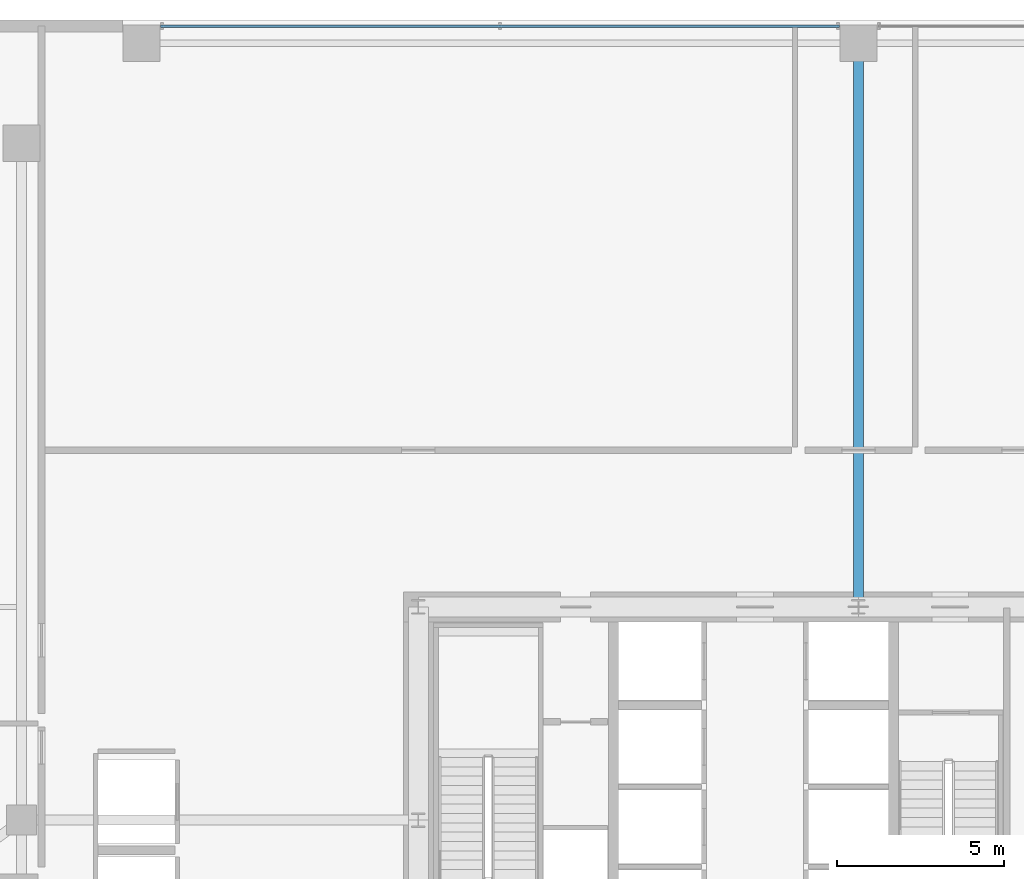
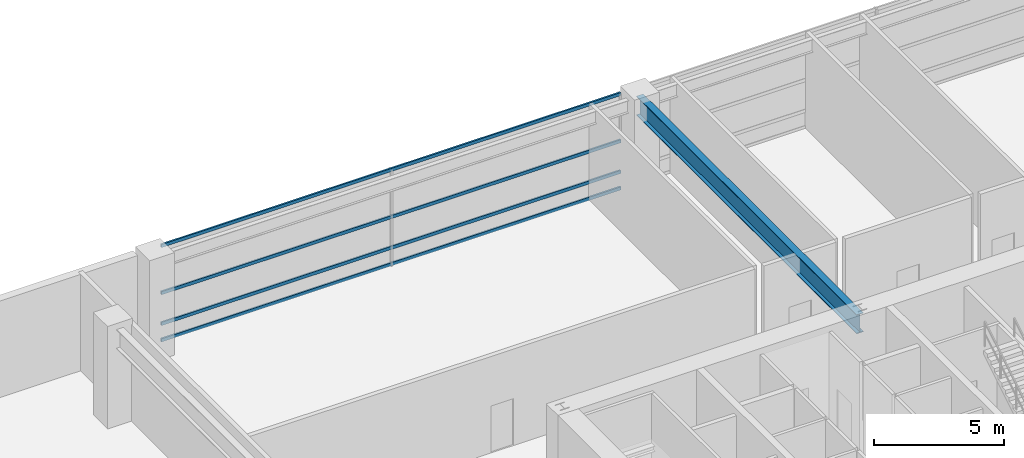
# One storey, part 22 of 38: 4 members, 1 beam, 1 element without a shape of its own.
"""IFC4 building model written with IfcOpenShell, lengths in metres."""

from ifc_helpers import new_model, si_unit, direction, frame, origin, origin_2d, place, context, subcontext, project, spatial, hollow_rectangle, i_section, extrude, source, transform, mapped, material, layer, layer_set, material_profile, profile_set, type_object, element, aggregate, save


model = new_model("IFC4")

# Units and contexts
model_context = context("Model", 3, precision=1e-05, world=origin(), true_north=direction((0.0, 1.0)))
body_context = subcontext(model_context, "Body", "Model", "MODEL_VIEW")
ifc_project = project(units=[si_unit("LENGTHUNIT", "METRE"), si_unit("AREAUNIT", "SQUARE_METRE"), si_unit("VOLUMEUNIT", "CUBIC_METRE"), si_unit("PLANEANGLEUNIT", "RADIAN"), si_unit("MASSUNIT", "GRAM", prefix="KILO"), si_unit("THERMODYNAMICTEMPERATUREUNIT", "KELVIN"), si_unit("POWERUNIT", "WATT")], contexts=[model_context])

# Site, building, storey
site_placement = place(None, origin())
site = spatial("IfcSite", under=ifc_project, at=site_placement, CompositionType="ELEMENT")
building_placement = place(site_placement, origin())
building = spatial("IfcBuilding", under=site, at=building_placement, Name="Yuzanri Waterfront Tower", CompositionType="ELEMENT")
storey_placement = place(building_placement, frame((0.0, 0.0, 10.199951171875)))
storey = spatial("IfcBuildingStorey", under=building, at=storey_placement, Name="L03", CompositionType="ELEMENT", Elevation=10.199951171875)

# Beam
ifc_material_1 = material(Name="Steel Q355B", Category="steel")
ifc_material_profile_1 = material_profile(ifc_material_1, i_section(OverallWidth=0.300048828125, OverallDepth=0.89990234375, WebThickness=0.01611328125, FlangeThickness=0.028076171875, at=origin_2d()), Name="HN 900x300x16x28")
ifc_profile_set_1 = profile_set([ifc_material_profile_1], Name="Steel Q355B")
beam_type = type_object("IfcBeamType", Name="Primary Podium Girder Q355B HN 900x300", PredefinedType="BEAM", material=ifc_profile_set_1)
shared_shape_1 = source(origin(), body_context, "Body", "SweptSolid", [
    extrude(i_section(OverallWidth=0.300048828125, OverallDepth=0.89990234375, WebThickness=0.01611328125, FlangeThickness=0.028076171875, at=origin_2d()), origin(), (0.0, 0.0, 1.0), 16.900146484375),
])
beam_placement = place(storey_placement, frame((37.0, 32.199951171875, 4.070068359375), z_axis=(0.0, 1.0, 0.0), x_axis=(-1.0, 0.0, 0.0)))
element("IfcBeam", 1, at=beam_placement, inside=storey, type_object=beam_type, Name="L03 North Core Link Girder", PredefinedType="BEAM", context=body_context, shape_type="MappedRepresentation", body=[
    mapped(shared_shape_1, transform((0.0, 0.0, 0.0), scale=1.0)),
])

# Curtain wall, members
ifc_material_2 = material(Name="Anodized Architectural Bronze", Category="metal")
ifc_layer = layer(ifc_material_2, 0.159912109375)
ifc_layer_set = layer_set([ifc_layer], Name="Anodized Architectural Bronze")
curtain_wall_type = type_object("IfcCurtainWallType", Name="Anodized Bronze Podium Waterfront Double-Height Unitized Curtain Wall 8400", PredefinedType="NOTDEFINED", material=ifc_layer_set)
curtain_wall_placement = place(storey_placement, origin())
curtain_wall = element("IfcCurtainWall", 2, at=curtain_wall_placement, inside=storey, type_object=curtain_wall_type, Name="L03 Curtain Wall CW-L03-N1", PredefinedType="NOTDEFINED")
ifc_material_3 = material(Name="Anodized Architectural Bronze", Category="metal")
ifc_material_profile_2 = material_profile(ifc_material_3, hollow_rectangle(XDim=0.074951171875, YDim=0.14990234375, WallThickness=0.00390625, at=origin_2d()), Name="CWT 75x150")
ifc_profile_set_2 = profile_set([ifc_material_profile_2], Name="Anodized Architectural Bronze")
member_type = type_object("IfcMemberType", Name="Anodized Bronze Primary Curtain-Wall Transom 75x150", PredefinedType="USERDEFINED", material=ifc_profile_set_2)
shared_shape_2 = source(origin(), body_context, "Body", "SweptSolid", [
    extrude(hollow_rectangle(XDim=0.074951171875, YDim=0.14990234375, WallThickness=0.00390625, at=origin_2d()), origin(), (0.0, 0.0, 1.0), 20.35986328125),
])
member_1_placement = place(storey_placement, frame((16.070068359375, 49.6201171875, 0.050048828125), z_axis=(1.0, 0.0, 0.0), x_axis=(0.0, 1.0, 0.0)))
member_1 = element("IfcMember", 3, at=member_1_placement, type_object=member_type, Name="CW-L03-N1 Transom 1", ObjectType="TRANSOM", PredefinedType="USERDEFINED", context=body_context, shape_type="MappedRepresentation", body=[
    mapped(shared_shape_2, transform((0.0, 0.0, 0.0), scale=1.0)),
])
member_2_placement = place(storey_placement, frame((16.070068359375, 49.6201171875, 0.820068359375), z_axis=(1.0, 0.0, 0.0), x_axis=(0.0, 1.0, 0.0)))
member_2 = element("IfcMember", 4, at=member_2_placement, type_object=member_type, Name="CW-L03-N1 Transom 2", ObjectType="TRANSOM", PredefinedType="USERDEFINED", context=body_context, shape_type="MappedRepresentation", body=[
    mapped(shared_shape_2, transform((0.0, 0.0, 0.0), scale=1.0)),
])
member_3_placement = place(storey_placement, frame((16.070068359375, 49.6201171875, 2.260009765625), z_axis=(1.0, 0.0, 0.0), x_axis=(0.0, 1.0, 0.0)))
member_3 = element("IfcMember", 5, at=member_3_placement, type_object=member_type, Name="CW-L03-N1 Transom 3", ObjectType="TRANSOM", PredefinedType="USERDEFINED", context=body_context, shape_type="MappedRepresentation", body=[
    mapped(shared_shape_2, transform((0.0, 0.0, 0.0), scale=1.0)),
])
member_4_placement = place(storey_placement, frame((16.070068359375, 49.6201171875, 4.469970703125), z_axis=(1.0, 0.0, 0.0), x_axis=(0.0, 1.0, 0.0)))
member_4 = element("IfcMember", 6, at=member_4_placement, type_object=member_type, Name="CW-L03-N1 Transom 4", ObjectType="TRANSOM", PredefinedType="USERDEFINED", context=body_context, shape_type="MappedRepresentation", body=[
    mapped(shared_shape_2, transform((0.0, 0.0, 0.0), scale=1.0)),
])
aggregate(curtain_wall, [member_1, member_2, member_3, member_4])

save(model, "model.ifc")
